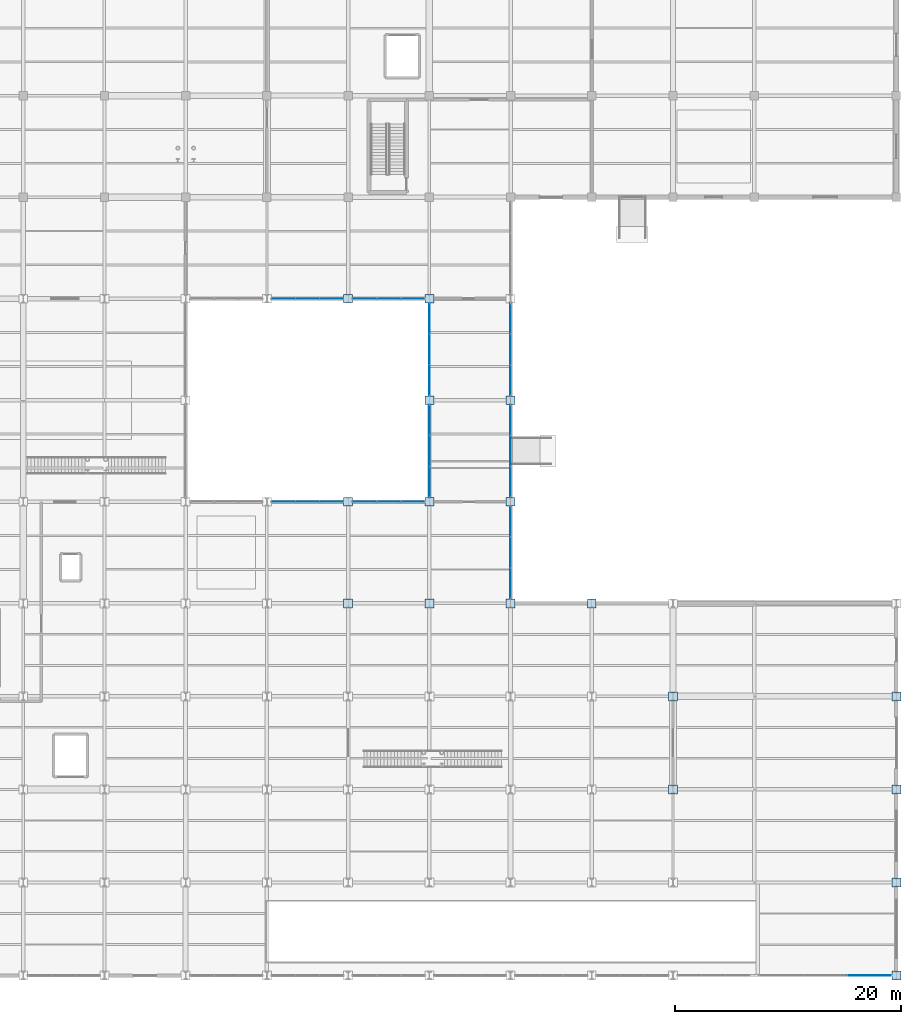
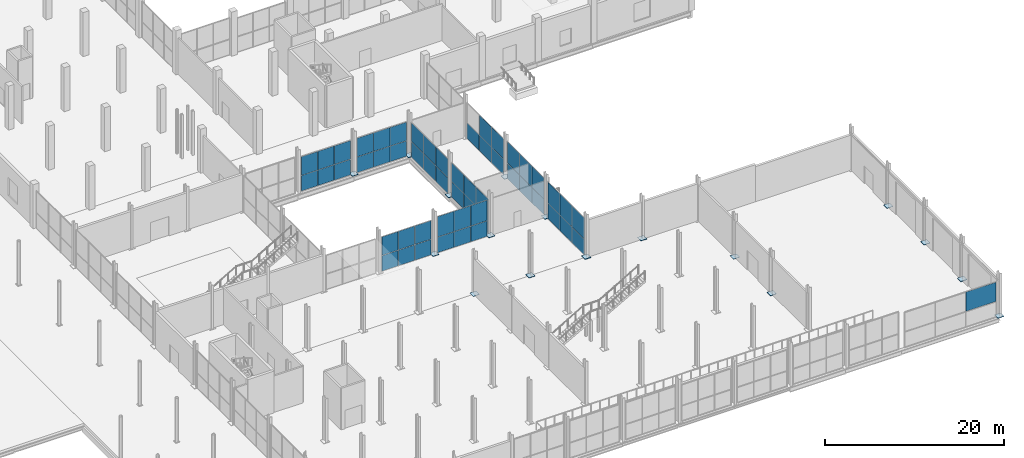
# One storey, part 120 of 144: 71 plates, 10 elements without a shape of their own.
"""IFC4 building model written with IfcOpenShell, lengths in metres."""

from ifc_helpers import new_model, si_unit, direction, frame, origin, origin_2d, place, context, subcontext, project, spatial, rectangle, extrude, material, layer, layer_set, type_object, element, aggregate, save


model = new_model("IFC4")

# Units and contexts
model_context = context("Model", 3, precision=1e-05, world=origin(), true_north=direction((0.0, 1.0)))
body_context = subcontext(model_context, "Body", "Model", "MODEL_VIEW")
ifc_project = project(units=[si_unit("LENGTHUNIT", "METRE"), si_unit("AREAUNIT", "SQUARE_METRE"), si_unit("VOLUMEUNIT", "CUBIC_METRE"), si_unit("PLANEANGLEUNIT", "RADIAN"), si_unit("MASSUNIT", "GRAM", prefix="KILO")], contexts=[model_context])

# Site, building, storey
site_placement = place(None, origin())
site = spatial("IfcSite", under=ifc_project, at=site_placement, CompositionType="ELEMENT")
building_placement = place(site_placement, origin())
building = spatial("IfcBuilding", under=site, at=building_placement, Name="Sundgate Opera House", CompositionType="ELEMENT")
storey_placement = place(building_placement, origin())
storey = spatial("IfcBuildingStorey", under=building, at=storey_placement, Name="L00", CompositionType="ELEMENT", Elevation=0.0)

# Curtain wall, plates
ifc_material_1 = material(Name="Anodized aluminium and low-iron glass", Category="aluminium")
ifc_layer_1 = layer(ifc_material_1, 0.159912109375)
ifc_layer_set_1 = layer_set([ifc_layer_1], Name="Anodized aluminium and low-iron glass")
curtain_wall_type_1 = type_object("IfcCurtainWallType", Name="CW-STUDIO-DARK", PredefinedType="NOTDEFINED", material=ifc_layer_set_1)
curtain_wall_1_placement = place(storey_placement, origin())
curtain_wall_1 = element("IfcCurtainWall", 1, at=curtain_wall_1_placement, inside=storey, type_object=curtain_wall_type_1, Name="L00 Curtain Wall CW027", PredefinedType="NOTDEFINED")
ifc_material_2 = material(Name="Dark solar-control triple acoustic glazing", Category="glass")
ifc_layer_2 = layer(ifc_material_2, 0.031982421875)
ifc_layer_set_2 = layer_set([ifc_layer_2], Name="Dark solar-control triple acoustic glazing")
plate_type_1 = type_object("IfcPlateType", Name="CWP-DARK-32", PredefinedType="CURTAIN_PANEL", material=ifc_layer_set_2)
plate_1_placement = place(storey_placement, frame((145.800048828125, 34.7666015625, 0.02001953125), z_axis=(0.0, 0.0, 1.0), x_axis=(0.0, 1.0, 0.0)))
plate_1 = element("IfcPlate", 2, at=plate_1_placement, type_object=plate_type_1, Name="CW027 Panel 1", PredefinedType="CURTAIN_PANEL", context=body_context, shape_type="SweptSolid", body=[
    extrude(rectangle(XDim=2.693359375, YDim=0.031982421875, at=origin_2d()), origin(), (0.0, 0.0, 1.0), 2.110107421875),
])
plate_2_placement = place(storey_placement, frame((145.800048828125, 34.7666015625, 2.169921875), z_axis=(0.0, 0.0, 1.0), x_axis=(0.0, 1.0, 0.0)))
plate_2 = element("IfcPlate", 3, at=plate_2_placement, type_object=plate_type_1, Name="CW027 Panel 2", PredefinedType="CURTAIN_PANEL", context=body_context, shape_type="SweptSolid", body=[
    extrude(rectangle(XDim=2.693359375, YDim=0.031982421875, at=origin_2d()), origin(), (0.0, 0.0, 1.0), 2.875),
])
plate_3_placement = place(storey_placement, frame((145.800048828125, 37.5, 0.02001953125), z_axis=(0.0, 0.0, 1.0), x_axis=(0.0, 1.0, 0.0)))
plate_3 = element("IfcPlate", 4, at=plate_3_placement, type_object=plate_type_1, Name="CW027 Panel 3", PredefinedType="CURTAIN_PANEL", context=body_context, shape_type="SweptSolid", body=[
    extrude(rectangle(XDim=2.693359375, YDim=0.031982421875, at=origin_2d()), origin(), (0.0, 0.0, 1.0), 2.110107421875),
])
plate_4_placement = place(storey_placement, frame((145.800048828125, 37.5, 2.169921875), z_axis=(0.0, 0.0, 1.0), x_axis=(0.0, 1.0, 0.0)))
plate_4 = element("IfcPlate", 5, at=plate_4_placement, type_object=plate_type_1, Name="CW027 Panel 4", PredefinedType="CURTAIN_PANEL", context=body_context, shape_type="SweptSolid", body=[
    extrude(rectangle(XDim=2.693359375, YDim=0.031982421875, at=origin_2d()), origin(), (0.0, 0.0, 1.0), 2.875),
])
plate_5_placement = place(storey_placement, frame((145.800048828125, 40.2333984375, 0.02001953125), z_axis=(0.0, 0.0, 1.0), x_axis=(0.0, 1.0, 0.0)))
plate_5 = element("IfcPlate", 6, at=plate_5_placement, type_object=plate_type_1, Name="CW027 Panel 5", PredefinedType="CURTAIN_PANEL", context=body_context, shape_type="SweptSolid", body=[
    extrude(rectangle(XDim=2.693359375, YDim=0.031982421875, at=origin_2d()), origin(), (0.0, 0.0, 1.0), 2.110107421875),
])
plate_6_placement = place(storey_placement, frame((145.800048828125, 40.2333984375, 2.169921875), z_axis=(0.0, 0.0, 1.0), x_axis=(0.0, 1.0, 0.0)))
plate_6 = element("IfcPlate", 7, at=plate_6_placement, type_object=plate_type_1, Name="CW027 Panel 6", PredefinedType="CURTAIN_PANEL", context=body_context, shape_type="SweptSolid", body=[
    extrude(rectangle(XDim=2.693359375, YDim=0.031982421875, at=origin_2d()), origin(), (0.0, 0.0, 1.0), 2.875),
])
aggregate(curtain_wall_1, [plate_1, plate_2, plate_3, plate_4, plate_5, plate_6])

curtain_wall_2_placement = place(storey_placement, origin())
curtain_wall_2 = element("IfcCurtainWall", 8, at=curtain_wall_2_placement, inside=storey, type_object=curtain_wall_type_1, Name="L00 Curtain Wall CW029", PredefinedType="NOTDEFINED")
plate_7_placement = place(storey_placement, frame((145.800048828125, 43.7666015625, 0.02001953125), z_axis=(0.0, 0.0, 1.0), x_axis=(0.0, 1.0, 0.0)))
plate_7 = element("IfcPlate", 9, at=plate_7_placement, type_object=plate_type_1, Name="CW029 Panel 1", PredefinedType="CURTAIN_PANEL", context=body_context, shape_type="SweptSolid", body=[
    extrude(rectangle(XDim=2.693359375, YDim=0.031982421875, at=origin_2d()), origin(), (0.0, 0.0, 1.0), 2.110107421875),
])
plate_8_placement = place(storey_placement, frame((145.800048828125, 43.7666015625, 2.169921875), z_axis=(0.0, 0.0, 1.0), x_axis=(0.0, 1.0, 0.0)))
plate_8 = element("IfcPlate", 10, at=plate_8_placement, type_object=plate_type_1, Name="CW029 Panel 2", PredefinedType="CURTAIN_PANEL", context=body_context, shape_type="SweptSolid", body=[
    extrude(rectangle(XDim=2.693359375, YDim=0.031982421875, at=origin_2d()), origin(), (0.0, 0.0, 1.0), 2.875),
])
plate_9_placement = place(storey_placement, frame((145.800048828125, 46.5, 0.02001953125), z_axis=(0.0, 0.0, 1.0), x_axis=(0.0, 1.0, 0.0)))
plate_9 = element("IfcPlate", 11, at=plate_9_placement, type_object=plate_type_1, Name="CW029 Panel 3", PredefinedType="CURTAIN_PANEL", context=body_context, shape_type="SweptSolid", body=[
    extrude(rectangle(XDim=2.693359375, YDim=0.031982421875, at=origin_2d()), origin(), (0.0, 0.0, 1.0), 2.110107421875),
])
plate_10_placement = place(storey_placement, frame((145.800048828125, 46.5, 2.169921875), z_axis=(0.0, 0.0, 1.0), x_axis=(0.0, 1.0, 0.0)))
plate_10 = element("IfcPlate", 12, at=plate_10_placement, type_object=plate_type_1, Name="CW029 Panel 4", PredefinedType="CURTAIN_PANEL", context=body_context, shape_type="SweptSolid", body=[
    extrude(rectangle(XDim=2.693359375, YDim=0.031982421875, at=origin_2d()), origin(), (0.0, 0.0, 1.0), 2.875),
])
plate_11_placement = place(storey_placement, frame((145.800048828125, 49.2333984375, 0.02001953125), z_axis=(0.0, 0.0, 1.0), x_axis=(0.0, 1.0, 0.0)))
plate_11 = element("IfcPlate", 13, at=plate_11_placement, type_object=plate_type_1, Name="CW029 Panel 5", PredefinedType="CURTAIN_PANEL", context=body_context, shape_type="SweptSolid", body=[
    extrude(rectangle(XDim=2.693359375, YDim=0.031982421875, at=origin_2d()), origin(), (0.0, 0.0, 1.0), 2.110107421875),
])
plate_12_placement = place(storey_placement, frame((145.800048828125, 49.2333984375, 2.169921875), z_axis=(0.0, 0.0, 1.0), x_axis=(0.0, 1.0, 0.0)))
plate_12 = element("IfcPlate", 14, at=plate_12_placement, type_object=plate_type_1, Name="CW029 Panel 6", PredefinedType="CURTAIN_PANEL", context=body_context, shape_type="SweptSolid", body=[
    extrude(rectangle(XDim=2.693359375, YDim=0.031982421875, at=origin_2d()), origin(), (0.0, 0.0, 1.0), 2.875),
])
aggregate(curtain_wall_2, [plate_7, plate_8, plate_9, plate_10, plate_11, plate_12])

curtain_wall_3_placement = place(storey_placement, origin())
curtain_wall_3 = element("IfcCurtainWall", 15, at=curtain_wall_3_placement, inside=storey, type_object=curtain_wall_type_1, Name="L00 Curtain Wall CW031", PredefinedType="NOTDEFINED")
plate_13_placement = place(storey_placement, frame((145.800048828125, 52.7666015625, 0.02001953125), z_axis=(0.0, 0.0, 1.0), x_axis=(0.0, 1.0, 0.0)))
plate_13 = element("IfcPlate", 16, at=plate_13_placement, type_object=plate_type_1, Name="CW031 Panel 1", PredefinedType="CURTAIN_PANEL", context=body_context, shape_type="SweptSolid", body=[
    extrude(rectangle(XDim=2.693359375, YDim=0.031982421875, at=origin_2d()), origin(), (0.0, 0.0, 1.0), 2.110107421875),
])
plate_14_placement = place(storey_placement, frame((145.800048828125, 52.7666015625, 2.169921875), z_axis=(0.0, 0.0, 1.0), x_axis=(0.0, 1.0, 0.0)))
plate_14 = element("IfcPlate", 17, at=plate_14_placement, type_object=plate_type_1, Name="CW031 Panel 2", PredefinedType="CURTAIN_PANEL", context=body_context, shape_type="SweptSolid", body=[
    extrude(rectangle(XDim=2.693359375, YDim=0.031982421875, at=origin_2d()), origin(), (0.0, 0.0, 1.0), 2.72509765625),
])
plate_15_placement = place(storey_placement, frame((145.800048828125, 55.5, 0.02001953125), z_axis=(0.0, 0.0, 1.0), x_axis=(0.0, 1.0, 0.0)))
plate_15 = element("IfcPlate", 18, at=plate_15_placement, type_object=plate_type_1, Name="CW031 Panel 3", PredefinedType="CURTAIN_PANEL", context=body_context, shape_type="SweptSolid", body=[
    extrude(rectangle(XDim=2.693359375, YDim=0.031982421875, at=origin_2d()), origin(), (0.0, 0.0, 1.0), 2.110107421875),
])
plate_16_placement = place(storey_placement, frame((145.800048828125, 55.5, 2.169921875), z_axis=(0.0, 0.0, 1.0), x_axis=(0.0, 1.0, 0.0)))
plate_16 = element("IfcPlate", 19, at=plate_16_placement, type_object=plate_type_1, Name="CW031 Panel 4", PredefinedType="CURTAIN_PANEL", context=body_context, shape_type="SweptSolid", body=[
    extrude(rectangle(XDim=2.693359375, YDim=0.031982421875, at=origin_2d()), origin(), (0.0, 0.0, 1.0), 2.72509765625),
])
plate_17_placement = place(storey_placement, frame((145.800048828125, 58.2333984375, 0.02001953125), z_axis=(0.0, 0.0, 1.0), x_axis=(0.0, 1.0, 0.0)))
plate_17 = element("IfcPlate", 20, at=plate_17_placement, type_object=plate_type_1, Name="CW031 Panel 5", PredefinedType="CURTAIN_PANEL", context=body_context, shape_type="SweptSolid", body=[
    extrude(rectangle(XDim=2.693359375, YDim=0.031982421875, at=origin_2d()), origin(), (0.0, 0.0, 1.0), 2.110107421875),
])
aggregate(curtain_wall_3, [plate_13, plate_14, plate_15, plate_16, plate_17])

curtain_wall_4_placement = place(storey_placement, origin())
curtain_wall_4 = element("IfcCurtainWall", 21, at=curtain_wall_4_placement, inside=storey, type_object=curtain_wall_type_1, Name="L00 Curtain Wall CW036", PredefinedType="NOTDEFINED")
plate_18_placement = place(storey_placement, frame((125.666748046875, 42.0, 0.02001953125), z_axis=(0.0, 0.0, 1.0), x_axis=(1.0, 0.0, 0.0)))
plate_18 = element("IfcPlate", 22, at=plate_18_placement, type_object=plate_type_1, Name="CW036 Panel 1", PredefinedType="CURTAIN_PANEL", context=body_context, shape_type="SweptSolid", body=[
    extrude(rectangle(XDim=2.09326171875, YDim=0.031982421875, at=origin_2d()), origin(), (0.0, 0.0, 1.0), 2.110107421875),
])
plate_19_placement = place(storey_placement, frame((125.666748046875, 42.0, 2.170166015625), z_axis=(0.0, 0.0, 1.0), x_axis=(1.0, 0.0, 0.0)))
plate_19 = element("IfcPlate", 23, at=plate_19_placement, type_object=plate_type_1, Name="CW036 Panel 2", PredefinedType="CURTAIN_PANEL", context=body_context, shape_type="SweptSolid", body=[
    extrude(rectangle(XDim=2.09326171875, YDim=0.031982421875, at=origin_2d()), origin(), (0.0, 0.0, 1.0), 2.52490234375),
])
plate_20_placement = place(storey_placement, frame((127.800048828125, 42.0, 0.02001953125), z_axis=(0.0, 0.0, 1.0), x_axis=(1.0, 0.0, 0.0)))
plate_20 = element("IfcPlate", 24, at=plate_20_placement, type_object=plate_type_1, Name="CW036 Panel 3", PredefinedType="CURTAIN_PANEL", context=body_context, shape_type="SweptSolid", body=[
    extrude(rectangle(XDim=2.09326171875, YDim=0.031982421875, at=origin_2d()), origin(), (0.0, 0.0, 1.0), 2.110107421875),
])
plate_21_placement = place(storey_placement, frame((127.800048828125, 42.0, 2.170166015625), z_axis=(0.0, 0.0, 1.0), x_axis=(1.0, 0.0, 0.0)))
plate_21 = element("IfcPlate", 25, at=plate_21_placement, type_object=plate_type_1, Name="CW036 Panel 4", PredefinedType="CURTAIN_PANEL", context=body_context, shape_type="SweptSolid", body=[
    extrude(rectangle(XDim=2.09326171875, YDim=0.031982421875, at=origin_2d()), origin(), (0.0, 0.0, 1.0), 2.52490234375),
])
plate_22_placement = place(storey_placement, frame((129.933349609375, 42.0, 0.02001953125), z_axis=(0.0, 0.0, 1.0), x_axis=(1.0, 0.0, 0.0)))
plate_22 = element("IfcPlate", 26, at=plate_22_placement, type_object=plate_type_1, Name="CW036 Panel 5", PredefinedType="CURTAIN_PANEL", context=body_context, shape_type="SweptSolid", body=[
    extrude(rectangle(XDim=2.09326171875, YDim=0.031982421875, at=origin_2d()), origin(), (0.0, 0.0, 1.0), 2.110107421875),
])
plate_23_placement = place(storey_placement, frame((129.933349609375, 42.0, 2.170166015625), z_axis=(0.0, 0.0, 1.0), x_axis=(1.0, 0.0, 0.0)))
plate_23 = element("IfcPlate", 27, at=plate_23_placement, type_object=plate_type_1, Name="CW036 Panel 6", PredefinedType="CURTAIN_PANEL", context=body_context, shape_type="SweptSolid", body=[
    extrude(rectangle(XDim=2.09326171875, YDim=0.031982421875, at=origin_2d()), origin(), (0.0, 0.0, 1.0), 2.52490234375),
])
aggregate(curtain_wall_4, [plate_18, plate_19, plate_20, plate_21, plate_22, plate_23])

curtain_wall_5_placement = place(storey_placement, origin())
curtain_wall_5 = element("IfcCurtainWall", 28, at=curtain_wall_5_placement, inside=storey, type_object=curtain_wall_type_1, Name="L00 Curtain Wall CW037", PredefinedType="NOTDEFINED")
plate_24_placement = place(storey_placement, frame((129.933349609375, 60.0, 0.02001953125), z_axis=(0.0, 0.0, 1.0), x_axis=(-1.0, 0.0, 0.0)))
plate_24 = element("IfcPlate", 29, at=plate_24_placement, type_object=plate_type_1, Name="CW037 Panel 1", PredefinedType="CURTAIN_PANEL", context=body_context, shape_type="SweptSolid", body=[
    extrude(rectangle(XDim=2.09326171875, YDim=0.031982421875, at=origin_2d()), origin(), (0.0, 0.0, 1.0), 2.110107421875),
])
plate_25_placement = place(storey_placement, frame((129.933349609375, 60.0, 2.170166015625), z_axis=(0.0, 0.0, 1.0), x_axis=(-1.0, 0.0, 0.0)))
plate_25 = element("IfcPlate", 30, at=plate_25_placement, type_object=plate_type_1, Name="CW037 Panel 2", PredefinedType="CURTAIN_PANEL", context=body_context, shape_type="SweptSolid", body=[
    extrude(rectangle(XDim=2.09326171875, YDim=0.031982421875, at=origin_2d()), origin(), (0.0, 0.0, 1.0), 2.52490234375),
])
plate_26_placement = place(storey_placement, frame((127.800048828125, 60.0, 0.02001953125), z_axis=(0.0, 0.0, 1.0), x_axis=(-1.0, 0.0, 0.0)))
plate_26 = element("IfcPlate", 31, at=plate_26_placement, type_object=plate_type_1, Name="CW037 Panel 3", PredefinedType="CURTAIN_PANEL", context=body_context, shape_type="SweptSolid", body=[
    extrude(rectangle(XDim=2.09326171875, YDim=0.031982421875, at=origin_2d()), origin(), (0.0, 0.0, 1.0), 2.110107421875),
])
plate_27_placement = place(storey_placement, frame((127.800048828125, 60.0, 2.170166015625), z_axis=(0.0, 0.0, 1.0), x_axis=(-1.0, 0.0, 0.0)))
plate_27 = element("IfcPlate", 32, at=plate_27_placement, type_object=plate_type_1, Name="CW037 Panel 4", PredefinedType="CURTAIN_PANEL", context=body_context, shape_type="SweptSolid", body=[
    extrude(rectangle(XDim=2.09326171875, YDim=0.031982421875, at=origin_2d()), origin(), (0.0, 0.0, 1.0), 2.52490234375),
])
plate_28_placement = place(storey_placement, frame((125.666748046875, 60.0, 0.02001953125), z_axis=(0.0, 0.0, 1.0), x_axis=(-1.0, 0.0, 0.0)))
plate_28 = element("IfcPlate", 33, at=plate_28_placement, type_object=plate_type_1, Name="CW037 Panel 5", PredefinedType="CURTAIN_PANEL", context=body_context, shape_type="SweptSolid", body=[
    extrude(rectangle(XDim=2.09326171875, YDim=0.031982421875, at=origin_2d()), origin(), (0.0, 0.0, 1.0), 2.110107421875),
])
plate_29_placement = place(storey_placement, frame((125.666748046875, 60.0, 2.170166015625), z_axis=(0.0, 0.0, 1.0), x_axis=(-1.0, 0.0, 0.0)))
plate_29 = element("IfcPlate", 34, at=plate_29_placement, type_object=plate_type_1, Name="CW037 Panel 6", PredefinedType="CURTAIN_PANEL", context=body_context, shape_type="SweptSolid", body=[
    extrude(rectangle(XDim=2.09326171875, YDim=0.031982421875, at=origin_2d()), origin(), (0.0, 0.0, 1.0), 2.52490234375),
])
aggregate(curtain_wall_5, [plate_24, plate_25, plate_26, plate_27, plate_28, plate_29])

curtain_wall_6_placement = place(storey_placement, origin())
curtain_wall_6 = element("IfcCurtainWall", 35, at=curtain_wall_6_placement, inside=storey, type_object=curtain_wall_type_1, Name="L00 Curtain Wall CW038", PredefinedType="NOTDEFINED")
plate_30_placement = place(storey_placement, frame((132.86669921875, 42.0, 0.02001953125), z_axis=(0.0, 0.0, 1.0), x_axis=(1.0, 0.0, 0.0)))
plate_30 = element("IfcPlate", 36, at=plate_30_placement, type_object=plate_type_1, Name="CW038 Panel 1", PredefinedType="CURTAIN_PANEL", context=body_context, shape_type="SweptSolid", body=[
    extrude(rectangle(XDim=2.09326171875, YDim=0.031982421875, at=origin_2d()), origin(), (0.0, 0.0, 1.0), 2.110107421875),
])
plate_31_placement = place(storey_placement, frame((132.86669921875, 42.0, 2.170166015625), z_axis=(0.0, 0.0, 1.0), x_axis=(1.0, 0.0, 0.0)))
plate_31 = element("IfcPlate", 37, at=plate_31_placement, type_object=plate_type_1, Name="CW038 Panel 2", PredefinedType="CURTAIN_PANEL", context=body_context, shape_type="SweptSolid", body=[
    extrude(rectangle(XDim=2.09326171875, YDim=0.031982421875, at=origin_2d()), origin(), (0.0, 0.0, 1.0), 2.77490234375),
])
plate_32_placement = place(storey_placement, frame((135.0, 42.0, 0.02001953125), z_axis=(0.0, 0.0, 1.0), x_axis=(1.0, 0.0, 0.0)))
plate_32 = element("IfcPlate", 38, at=plate_32_placement, type_object=plate_type_1, Name="CW038 Panel 3", PredefinedType="CURTAIN_PANEL", context=body_context, shape_type="SweptSolid", body=[
    extrude(rectangle(XDim=2.09326171875, YDim=0.031982421875, at=origin_2d()), origin(), (0.0, 0.0, 1.0), 2.110107421875),
])
plate_33_placement = place(storey_placement, frame((135.0, 42.0, 2.170166015625), z_axis=(0.0, 0.0, 1.0), x_axis=(1.0, 0.0, 0.0)))
plate_33 = element("IfcPlate", 39, at=plate_33_placement, type_object=plate_type_1, Name="CW038 Panel 4", PredefinedType="CURTAIN_PANEL", context=body_context, shape_type="SweptSolid", body=[
    extrude(rectangle(XDim=2.09326171875, YDim=0.031982421875, at=origin_2d()), origin(), (0.0, 0.0, 1.0), 2.77490234375),
])
plate_34_placement = place(storey_placement, frame((137.13330078125, 42.0, 0.02001953125), z_axis=(0.0, 0.0, 1.0), x_axis=(1.0, 0.0, 0.0)))
plate_34 = element("IfcPlate", 40, at=plate_34_placement, type_object=plate_type_1, Name="CW038 Panel 5", PredefinedType="CURTAIN_PANEL", context=body_context, shape_type="SweptSolid", body=[
    extrude(rectangle(XDim=2.09326171875, YDim=0.031982421875, at=origin_2d()), origin(), (0.0, 0.0, 1.0), 2.110107421875),
])
plate_35_placement = place(storey_placement, frame((137.13330078125, 42.0, 2.170166015625), z_axis=(0.0, 0.0, 1.0), x_axis=(1.0, 0.0, 0.0)))
plate_35 = element("IfcPlate", 41, at=plate_35_placement, type_object=plate_type_1, Name="CW038 Panel 6", PredefinedType="CURTAIN_PANEL", context=body_context, shape_type="SweptSolid", body=[
    extrude(rectangle(XDim=2.09326171875, YDim=0.031982421875, at=origin_2d()), origin(), (0.0, 0.0, 1.0), 2.77490234375),
])
aggregate(curtain_wall_6, [plate_30, plate_31, plate_32, plate_33, plate_34, plate_35])

curtain_wall_7_placement = place(storey_placement, origin())
curtain_wall_7 = element("IfcCurtainWall", 42, at=curtain_wall_7_placement, inside=storey, type_object=curtain_wall_type_1, Name="L00 Curtain Wall CW039", PredefinedType="NOTDEFINED")
plate_36_placement = place(storey_placement, frame((137.13330078125, 60.0, 0.02001953125), z_axis=(0.0, 0.0, 1.0), x_axis=(-1.0, 0.0, 0.0)))
plate_36 = element("IfcPlate", 43, at=plate_36_placement, type_object=plate_type_1, Name="CW039 Panel 1", PredefinedType="CURTAIN_PANEL", context=body_context, shape_type="SweptSolid", body=[
    extrude(rectangle(XDim=2.09326171875, YDim=0.031982421875, at=origin_2d()), origin(), (0.0, 0.0, 1.0), 2.110107421875),
])
plate_37_placement = place(storey_placement, frame((137.13330078125, 60.0, 2.170166015625), z_axis=(0.0, 0.0, 1.0), x_axis=(-1.0, 0.0, 0.0)))
plate_37 = element("IfcPlate", 44, at=plate_37_placement, type_object=plate_type_1, Name="CW039 Panel 2", PredefinedType="CURTAIN_PANEL", context=body_context, shape_type="SweptSolid", body=[
    extrude(rectangle(XDim=2.09326171875, YDim=0.031982421875, at=origin_2d()), origin(), (0.0, 0.0, 1.0), 2.52490234375),
])
plate_38_placement = place(storey_placement, frame((135.0, 60.0, 0.02001953125), z_axis=(0.0, 0.0, 1.0), x_axis=(-1.0, 0.0, 0.0)))
plate_38 = element("IfcPlate", 45, at=plate_38_placement, type_object=plate_type_1, Name="CW039 Panel 3", PredefinedType="CURTAIN_PANEL", context=body_context, shape_type="SweptSolid", body=[
    extrude(rectangle(XDim=2.09326171875, YDim=0.031982421875, at=origin_2d()), origin(), (0.0, 0.0, 1.0), 2.110107421875),
])
plate_39_placement = place(storey_placement, frame((135.0, 60.0, 2.170166015625), z_axis=(0.0, 0.0, 1.0), x_axis=(-1.0, 0.0, 0.0)))
plate_39 = element("IfcPlate", 46, at=plate_39_placement, type_object=plate_type_1, Name="CW039 Panel 4", PredefinedType="CURTAIN_PANEL", context=body_context, shape_type="SweptSolid", body=[
    extrude(rectangle(XDim=2.09326171875, YDim=0.031982421875, at=origin_2d()), origin(), (0.0, 0.0, 1.0), 2.52490234375),
])
plate_40_placement = place(storey_placement, frame((132.86669921875, 60.0, 0.02001953125), z_axis=(0.0, 0.0, 1.0), x_axis=(-1.0, 0.0, 0.0)))
plate_40 = element("IfcPlate", 47, at=plate_40_placement, type_object=plate_type_1, Name="CW039 Panel 5", PredefinedType="CURTAIN_PANEL", context=body_context, shape_type="SweptSolid", body=[
    extrude(rectangle(XDim=2.09326171875, YDim=0.031982421875, at=origin_2d()), origin(), (0.0, 0.0, 1.0), 2.110107421875),
])
plate_41_placement = place(storey_placement, frame((132.86669921875, 60.0, 2.170166015625), z_axis=(0.0, 0.0, 1.0), x_axis=(-1.0, 0.0, 0.0)))
plate_41 = element("IfcPlate", 48, at=plate_41_placement, type_object=plate_type_1, Name="CW039 Panel 6", PredefinedType="CURTAIN_PANEL", context=body_context, shape_type="SweptSolid", body=[
    extrude(rectangle(XDim=2.09326171875, YDim=0.031982421875, at=origin_2d()), origin(), (0.0, 0.0, 1.0), 2.52490234375),
])
aggregate(curtain_wall_7, [plate_36, plate_37, plate_38, plate_39, plate_40, plate_41])

curtain_wall_8_placement = place(storey_placement, origin())
curtain_wall_8 = element("IfcCurtainWall", 49, at=curtain_wall_8_placement, inside=storey, type_object=curtain_wall_type_1, Name="L00 Curtain Wall CW041", PredefinedType="NOTDEFINED")
plate_42_placement = place(storey_placement, frame((138.60009765625, 49.2333984375, 0.02001953125), z_axis=(0.0, 0.0, 1.0), x_axis=(0.0, -1.0, 0.0)))
plate_42 = element("IfcPlate", 50, at=plate_42_placement, type_object=plate_type_1, Name="CW041 Panel 1", PredefinedType="CURTAIN_PANEL", context=body_context, shape_type="SweptSolid", body=[
    extrude(rectangle(XDim=2.693359375, YDim=0.031982421875, at=origin_2d()), origin(), (0.0, 0.0, 1.0), 2.110107421875),
])
plate_43_placement = place(storey_placement, frame((138.60009765625, 49.2333984375, 2.170166015625), z_axis=(0.0, 0.0, 1.0), x_axis=(0.0, -1.0, 0.0)))
plate_43 = element("IfcPlate", 51, at=plate_43_placement, type_object=plate_type_1, Name="CW041 Panel 2", PredefinedType="CURTAIN_PANEL", context=body_context, shape_type="SweptSolid", body=[
    extrude(rectangle(XDim=2.693359375, YDim=0.031982421875, at=origin_2d()), origin(), (0.0, 0.0, 1.0), 2.52490234375),
])
plate_44_placement = place(storey_placement, frame((138.60009765625, 46.5, 0.02001953125), z_axis=(0.0, 0.0, 1.0), x_axis=(0.0, -1.0, 0.0)))
plate_44 = element("IfcPlate", 52, at=plate_44_placement, type_object=plate_type_1, Name="CW041 Panel 3", PredefinedType="CURTAIN_PANEL", context=body_context, shape_type="SweptSolid", body=[
    extrude(rectangle(XDim=2.693359375, YDim=0.031982421875, at=origin_2d()), origin(), (0.0, 0.0, 1.0), 2.110107421875),
])
plate_45_placement = place(storey_placement, frame((138.60009765625, 46.5, 2.170166015625), z_axis=(0.0, 0.0, 1.0), x_axis=(0.0, -1.0, 0.0)))
plate_45 = element("IfcPlate", 53, at=plate_45_placement, type_object=plate_type_1, Name="CW041 Panel 4", PredefinedType="CURTAIN_PANEL", context=body_context, shape_type="SweptSolid", body=[
    extrude(rectangle(XDim=2.693359375, YDim=0.031982421875, at=origin_2d()), origin(), (0.0, 0.0, 1.0), 2.52490234375),
])
plate_46_placement = place(storey_placement, frame((138.60009765625, 43.7666015625, 0.02001953125), z_axis=(0.0, 0.0, 1.0), x_axis=(0.0, -1.0, 0.0)))
plate_46 = element("IfcPlate", 54, at=plate_46_placement, type_object=plate_type_1, Name="CW041 Panel 5", PredefinedType="CURTAIN_PANEL", context=body_context, shape_type="SweptSolid", body=[
    extrude(rectangle(XDim=2.693359375, YDim=0.031982421875, at=origin_2d()), origin(), (0.0, 0.0, 1.0), 2.110107421875),
])
plate_47_placement = place(storey_placement, frame((138.60009765625, 43.7666015625, 2.170166015625), z_axis=(0.0, 0.0, 1.0), x_axis=(0.0, -1.0, 0.0)))
plate_47 = element("IfcPlate", 55, at=plate_47_placement, type_object=plate_type_1, Name="CW041 Panel 6", PredefinedType="CURTAIN_PANEL", context=body_context, shape_type="SweptSolid", body=[
    extrude(rectangle(XDim=2.693359375, YDim=0.031982421875, at=origin_2d()), origin(), (0.0, 0.0, 1.0), 2.52490234375),
])
aggregate(curtain_wall_8, [plate_42, plate_43, plate_44, plate_45, plate_46, plate_47])

curtain_wall_9_placement = place(storey_placement, origin())
curtain_wall_9 = element("IfcCurtainWall", 56, at=curtain_wall_9_placement, inside=storey, type_object=curtain_wall_type_1, Name="L00 Curtain Wall CW043", PredefinedType="NOTDEFINED")
plate_48_placement = place(storey_placement, frame((138.60009765625, 58.2333984375, 0.02001953125), z_axis=(0.0, 0.0, 1.0), x_axis=(0.0, -1.0, 0.0)))
plate_48 = element("IfcPlate", 57, at=plate_48_placement, type_object=plate_type_1, Name="CW043 Panel 1", PredefinedType="CURTAIN_PANEL", context=body_context, shape_type="SweptSolid", body=[
    extrude(rectangle(XDim=2.693359375, YDim=0.031982421875, at=origin_2d()), origin(), (0.0, 0.0, 1.0), 2.110107421875),
])
plate_49_placement = place(storey_placement, frame((138.60009765625, 58.2333984375, 2.170166015625), z_axis=(0.0, 0.0, 1.0), x_axis=(0.0, -1.0, 0.0)))
plate_49 = element("IfcPlate", 58, at=plate_49_placement, type_object=plate_type_1, Name="CW043 Panel 2", PredefinedType="CURTAIN_PANEL", context=body_context, shape_type="SweptSolid", body=[
    extrude(rectangle(XDim=2.693359375, YDim=0.031982421875, at=origin_2d()), origin(), (0.0, 0.0, 1.0), 2.52490234375),
])
plate_50_placement = place(storey_placement, frame((138.60009765625, 55.5, 0.02001953125), z_axis=(0.0, 0.0, 1.0), x_axis=(0.0, -1.0, 0.0)))
plate_50 = element("IfcPlate", 59, at=plate_50_placement, type_object=plate_type_1, Name="CW043 Panel 3", PredefinedType="CURTAIN_PANEL", context=body_context, shape_type="SweptSolid", body=[
    extrude(rectangle(XDim=2.693359375, YDim=0.031982421875, at=origin_2d()), origin(), (0.0, 0.0, 1.0), 2.110107421875),
])
plate_51_placement = place(storey_placement, frame((138.60009765625, 55.5, 2.170166015625), z_axis=(0.0, 0.0, 1.0), x_axis=(0.0, -1.0, 0.0)))
plate_51 = element("IfcPlate", 60, at=plate_51_placement, type_object=plate_type_1, Name="CW043 Panel 4", PredefinedType="CURTAIN_PANEL", context=body_context, shape_type="SweptSolid", body=[
    extrude(rectangle(XDim=2.693359375, YDim=0.031982421875, at=origin_2d()), origin(), (0.0, 0.0, 1.0), 2.52490234375),
])
plate_52_placement = place(storey_placement, frame((138.60009765625, 52.7666015625, 0.02001953125), z_axis=(0.0, 0.0, 1.0), x_axis=(0.0, -1.0, 0.0)))
plate_52 = element("IfcPlate", 61, at=plate_52_placement, type_object=plate_type_1, Name="CW043 Panel 5", PredefinedType="CURTAIN_PANEL", context=body_context, shape_type="SweptSolid", body=[
    extrude(rectangle(XDim=2.693359375, YDim=0.031982421875, at=origin_2d()), origin(), (0.0, 0.0, 1.0), 2.110107421875),
])
plate_53_placement = place(storey_placement, frame((138.60009765625, 52.7666015625, 2.170166015625), z_axis=(0.0, 0.0, 1.0), x_axis=(0.0, -1.0, 0.0)))
plate_53 = element("IfcPlate", 62, at=plate_53_placement, type_object=plate_type_1, Name="CW043 Panel 6", PredefinedType="CURTAIN_PANEL", context=body_context, shape_type="SweptSolid", body=[
    extrude(rectangle(XDim=2.693359375, YDim=0.031982421875, at=origin_2d()), origin(), (0.0, 0.0, 1.0), 2.52490234375),
])
aggregate(curtain_wall_9, [plate_48, plate_49, plate_50, plate_51, plate_52, plate_53])

# Curtain wall, plate
ifc_material_3 = material(Name="Anodized aluminium and low-iron glass", Category="aluminium")
ifc_layer_3 = layer(ifc_material_3, 0.14990234375)
ifc_layer_set_3 = layer_set([ifc_layer_3], Name="Anodized aluminium and low-iron glass")
curtain_wall_type_2 = type_object("IfcCurtainWallType", Name="CW-WORKSHOP-DARK", PredefinedType="NOTDEFINED", material=ifc_layer_set_3)
curtain_wall_10_placement = place(storey_placement, origin())
curtain_wall_10 = element("IfcCurtainWall", 63, at=curtain_wall_10_placement, inside=storey, type_object=curtain_wall_type_2, Name="L00 Curtain Wall CW130", PredefinedType="NOTDEFINED")
plate_54_placement = place(storey_placement, frame((177.63330078125, 0.0, 2.1201171875), z_axis=(0.0, 0.0, 1.0), x_axis=(-1.0, 0.0, 0.0)))
plate_54 = element("IfcPlate", 64, at=plate_54_placement, type_object=plate_type_1, Name="CW130 Panel 2", PredefinedType="CURTAIN_PANEL", context=body_context, shape_type="SweptSolid", body=[
    extrude(rectangle(XDim=3.893310546875, YDim=0.031982421875, at=origin_2d()), origin(), (0.0, 0.0, 1.0), 2.6298828125),
])
aggregate(curtain_wall_10, [plate_54])

# Plates
ifc_material_4 = material(Name="Steel S355J2", Category="steel")
ifc_layer_4 = layer(ifc_material_4, 0.030029296875)
ifc_layer_set_4 = layer_set([ifc_layer_4], Name="Steel S355J2")
plate_type_2 = type_object("IfcPlateType", Name="PT-BAS-30", PredefinedType="USERDEFINED", material=ifc_layer_set_4)
for number, where, z_axis, x_axis, name in (
    (65, (131.39990234375, 33.0, 0.0), (0.0, 0.0, 1.0), (1.0, 0.0, 0.0), "L00 Base Plate PT0322"),
    (66, (160.199951171875, 24.75, 0.0), (0.0, 0.0, 1.0), (1.0, 0.0, 0.0), "L00 Base Plate PT0395"),
    (67, (180.0, 24.75, 0.0), (0.0, 0.0, 1.0), (1.0, 0.0, 0.0), "L00 Base Plate PT0402"),
):
    element("IfcPlate", number, at=place(storey_placement, frame(where, z_axis=z_axis, x_axis=x_axis)), inside=storey, type_object=plate_type_2, Name=name, ObjectType="BASE PLATE", PredefinedType="USERDEFINED", context=body_context, shape_type="SweptSolid", body=[
        extrude(rectangle(XDim=0.7900390625, YDim=0.7900390625, at=origin_2d()), origin(), (0.0, 0.0, 1.0), 0.030029296875),
    ])
ifc_material_5 = material(Name="Steel S355J2", Category="steel")
ifc_layer_5 = layer(ifc_material_5, 0.033935546875)
ifc_layer_set_5 = layer_set([ifc_layer_5], Name="Steel S355J2")
plate_type_3 = type_object("IfcPlateType", Name="PT-BAS-34", PredefinedType="USERDEFINED", material=ifc_layer_set_5)
plate_55_placement = place(storey_placement, frame((131.39990234375, 42.0, 0.0), z_axis=(0.0, 0.0, 1.0), x_axis=(1.0, 0.0, 0.0)))
element("IfcPlate", 68, at=plate_55_placement, inside=storey, type_object=plate_type_3, Name="L00 Base Plate PT0325", ObjectType="BASE PLATE", PredefinedType="USERDEFINED", context=body_context, shape_type="SweptSolid", body=[
    extrude(rectangle(XDim=0.7900390625, YDim=0.7900390625, at=origin_2d()), origin(), (0.0, 0.0, 1.0), 0.033935546875),
])
ifc_material_6 = material(Name="Steel S355J2", Category="steel")
ifc_layer_6 = layer(ifc_material_6, 0.0400390625)
ifc_layer_set_6 = layer_set([ifc_layer_6], Name="Steel S355J2")
plate_type_4 = type_object("IfcPlateType", Name="PT-BAS-40", PredefinedType="USERDEFINED", material=ifc_layer_set_6)
for number, where, z_axis, x_axis, name in (
    (69, (131.39990234375, 60.0, 0.0), (0.0, 0.0, 1.0), (1.0, 0.0, 0.0), "L00 Base Plate PT0328"),
    (70, (138.60009765625, 33.0, 0.0), (0.0, 0.0, 1.0), (1.0, 0.0, 0.0), "L00 Base Plate PT0341"),
):
    element("IfcPlate", number, at=place(storey_placement, frame(where, z_axis=z_axis, x_axis=x_axis)), inside=storey, type_object=plate_type_4, Name=name, ObjectType="BASE PLATE", PredefinedType="USERDEFINED", context=body_context, shape_type="SweptSolid", body=[
        extrude(rectangle(XDim=0.7900390625, YDim=0.7900390625, at=origin_2d()), origin(), (0.0, 0.0, 1.0), 0.0400390625),
    ])
ifc_material_7 = material(Name="Steel S355J2", Category="steel")
ifc_layer_7 = layer(ifc_material_7, 0.044921875)
ifc_layer_set_7 = layer_set([ifc_layer_7], Name="Steel S355J2")
plate_type_5 = type_object("IfcPlateType", Name="PT-BAS-45", PredefinedType="USERDEFINED", material=ifc_layer_set_7)
for number, where, z_axis, x_axis, name in (
    (71, (138.60009765625, 42.0, 0.0), (0.0, 0.0, 1.0), (1.0, 0.0, 0.0), "L00 Base Plate PT0344"),
    (72, (180.0, 0.0, 0.0), (0.0, 0.0, 1.0), (1.0, 0.0, 0.0), "L00 Base Plate PT0399"),
):
    element("IfcPlate", number, at=place(storey_placement, frame(where, z_axis=z_axis, x_axis=x_axis)), inside=storey, type_object=plate_type_5, Name=name, ObjectType="BASE PLATE", PredefinedType="USERDEFINED", context=body_context, shape_type="SweptSolid", body=[
        extrude(rectangle(XDim=0.7900390625, YDim=0.7900390625, at=origin_2d()), origin(), (0.0, 0.0, 1.0), 0.044921875),
    ])
ifc_material_8 = material(Name="Steel S355J2", Category="steel")
ifc_layer_8 = layer(ifc_material_8, 0.050048828125)
ifc_layer_set_8 = layer_set([ifc_layer_8], Name="Steel S355J2")
plate_type_6 = type_object("IfcPlateType", Name="PT-BAS-50", PredefinedType="USERDEFINED", material=ifc_layer_set_8)
plate_56_placement = place(storey_placement, frame((138.60009765625, 51.0, 0.0), z_axis=(0.0, 0.0, 1.0), x_axis=(1.0, 0.0, 0.0)))
element("IfcPlate", 73, at=plate_56_placement, inside=storey, type_object=plate_type_6, Name="L00 Base Plate PT0347", ObjectType="BASE PLATE", PredefinedType="USERDEFINED", context=body_context, shape_type="SweptSolid", body=[
    extrude(rectangle(XDim=0.7900390625, YDim=0.7900390625, at=origin_2d()), origin(), (0.0, 0.0, 1.0), 0.050048828125),
])
ifc_material_9 = material(Name="Steel S355J2", Category="steel")
ifc_layer_9 = layer(ifc_material_9, 0.055908203125)
ifc_layer_set_9 = layer_set([ifc_layer_9], Name="Steel S355J2")
plate_type_7 = type_object("IfcPlateType", Name="PT-BAS-56", PredefinedType="USERDEFINED", material=ifc_layer_set_9)
for number, where, z_axis, x_axis, name in (
    (74, (145.800048828125, 51.0, 0.0), (0.0, 0.0, 1.0), (1.0, 0.0, 0.0), "L00 Base Plate PT0369"),
    (75, (153.0, 33.0, 0.0), (0.0, 0.0, 1.0), (1.0, 0.0, 0.0), "L00 Base Plate PT0386"),
    (76, (160.199951171875, 16.5, 0.0), (0.0, 0.0, 1.0), (1.0, 0.0, 0.0), "L00 Base Plate PT0393"),
    (77, (180.0, 16.5, 0.0), (0.0, 0.0, 1.0), (1.0, 0.0, 0.0), "L00 Base Plate PT0401"),
):
    element("IfcPlate", number, at=place(storey_placement, frame(where, z_axis=z_axis, x_axis=x_axis)), inside=storey, type_object=plate_type_7, Name=name, ObjectType="BASE PLATE", PredefinedType="USERDEFINED", context=body_context, shape_type="SweptSolid", body=[
        extrude(rectangle(XDim=0.7900390625, YDim=0.7900390625, at=origin_2d()), origin(), (0.0, 0.0, 1.0), 0.055908203125),
    ])
ifc_material_10 = material(Name="Steel S355J2", Category="steel")
ifc_layer_10 = layer(ifc_material_10, 0.06201171875)
ifc_layer_set_10 = layer_set([ifc_layer_10], Name="Steel S355J2")
plate_type_8 = type_object("IfcPlateType", Name="PT-BAS-62", PredefinedType="USERDEFINED", material=ifc_layer_set_10)
plate_57_placement = place(storey_placement, frame((145.800048828125, 42.0, 0.0), z_axis=(0.0, 0.0, 1.0), x_axis=(1.0, 0.0, 0.0)))
element("IfcPlate", 78, at=plate_57_placement, inside=storey, type_object=plate_type_8, Name="L00 Base Plate PT0366", ObjectType="BASE PLATE", PredefinedType="USERDEFINED", context=body_context, shape_type="SweptSolid", body=[
    extrude(rectangle(XDim=0.7900390625, YDim=0.7900390625, at=origin_2d()), origin(), (0.0, 0.0, 1.0), 0.06201171875),
])
ifc_material_11 = material(Name="Steel S355J2", Category="steel")
ifc_layer_11 = layer(ifc_material_11, 0.068115234375)
ifc_layer_set_11 = layer_set([ifc_layer_11], Name="Steel S355J2")
plate_type_9 = type_object("IfcPlateType", Name="PT-BAS-68", PredefinedType="USERDEFINED", material=ifc_layer_set_11)
for number, where, z_axis, x_axis, name in (
    (79, (138.60009765625, 60.0, 0.0), (0.0, 0.0, 1.0), (1.0, 0.0, 0.0), "L00 Base Plate PT0350"),
    (80, (145.800048828125, 33.0, 0.0), (0.0, 0.0, 1.0), (1.0, 0.0, 0.0), "L00 Base Plate PT0363"),
    (81, (180.0, 8.25, 0.0), (0.0, 0.0, 1.0), (1.0, 0.0, 0.0), "L00 Base Plate PT0400"),
):
    element("IfcPlate", number, at=place(storey_placement, frame(where, z_axis=z_axis, x_axis=x_axis)), inside=storey, type_object=plate_type_9, Name=name, ObjectType="BASE PLATE", PredefinedType="USERDEFINED", context=body_context, shape_type="SweptSolid", body=[
        extrude(rectangle(XDim=0.7900390625, YDim=0.7900390625, at=origin_2d()), origin(), (0.0, 0.0, 1.0), 0.068115234375),
    ])

save(model, "model.ifc")
